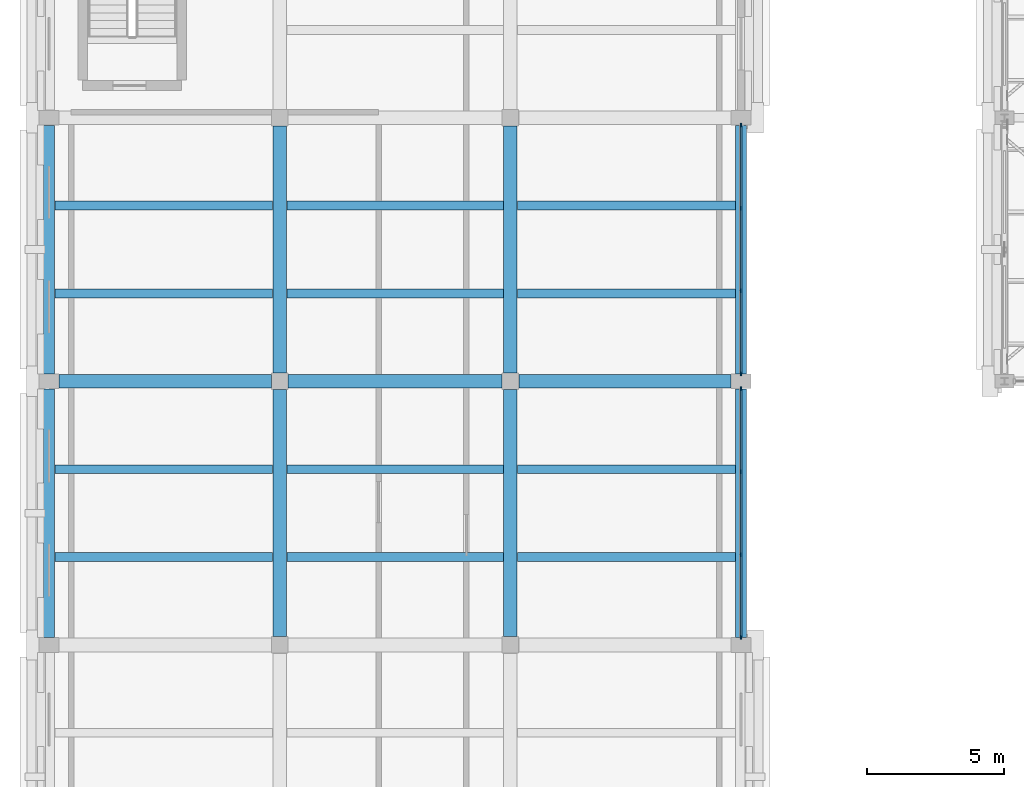
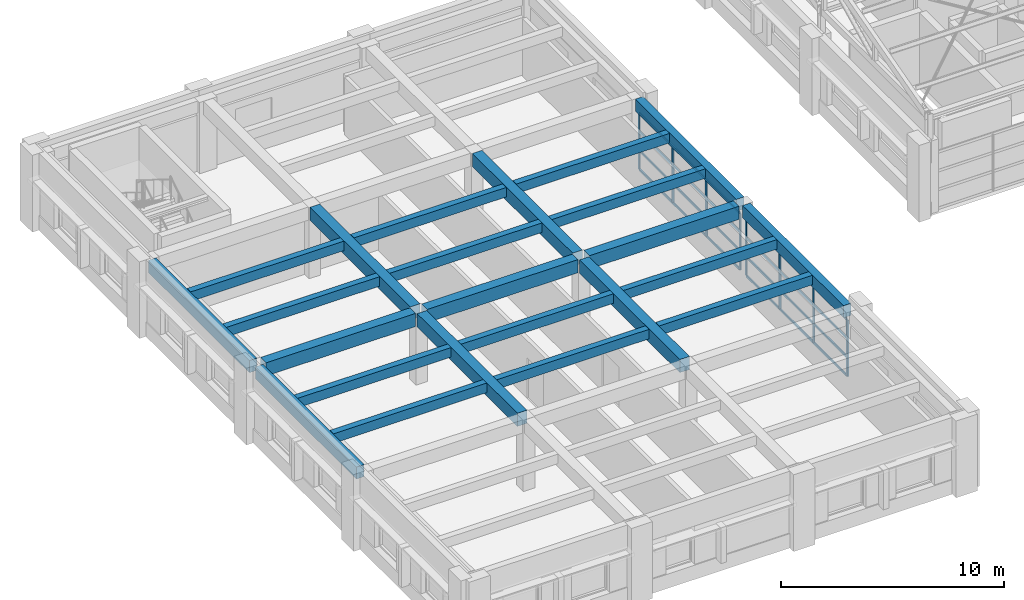
# One storey, part 12 of 58: 23 beams, 16 members, 2 elements without a shape of their own.
"""IFC4 building model written with IfcOpenShell, lengths in metres."""

from ifc_helpers import new_model, si_unit, direction, frame, origin, origin_2d, place, context, subcontext, project, spatial, rectangle, extrude, material, layer, layer_set, material_profile, profile_set, type_object, element, aggregate, save


model = new_model("IFC4")

# Units and contexts
model_context = context("Model", 3, precision=1e-05, world=origin(), true_north=direction((0.0, 1.0)))
body_context = subcontext(model_context, "Body", "Model", "MODEL_VIEW")
ifc_project = project(units=[si_unit("LENGTHUNIT", "METRE"), si_unit("AREAUNIT", "SQUARE_METRE"), si_unit("VOLUMEUNIT", "CUBIC_METRE"), si_unit("PLANEANGLEUNIT", "RADIAN"), si_unit("MASSUNIT", "GRAM", prefix="KILO")], contexts=[model_context])

# Site, building, storey
site_placement = place(None, origin())
site = spatial("IfcSite", under=ifc_project, at=site_placement, CompositionType="ELEMENT")
building_placement = place(site_placement, origin())
building = spatial("IfcBuilding", under=site, at=building_placement, Name="Bempovik Park Faculty of Sciences", CompositionType="ELEMENT")
storey_placement = place(building_placement, frame((0.0, 0.0, 18.300048828125)))
storey = spatial("IfcBuildingStorey", under=building, at=storey_placement, Name="L04", CompositionType="ELEMENT", Elevation=18.300048828125)

# Beams
ifc_material_1 = material(Name="Concrete C35/45", Category="concrete")
ifc_material_profile_1 = material_profile(ifc_material_1, rectangle(XDim=0.320068359375, YDim=0.52001953125, at=origin_2d()), Name="RC 320x520")
ifc_profile_set_1 = profile_set([ifc_material_profile_1], Name="Concrete C35/45")
beam_type_1 = type_object("IfcBeamType", Name="B-028 RC 320x520", PredefinedType="JOIST", material=ifc_profile_set_1)
for number, where, z_axis, x_axis, name in (
    (1, (15.805908203125, 61.39990234375, 3.639892578125), (1.0, 0.0, 0.0), (0.0, 1.0, 0.0), "L04 Secondary Joist (15.6-24.0, y=61.40)"),
    (2, (15.805908203125, 64.60009765625, 3.639892578125), (1.0, 0.0, 0.0), (0.0, 1.0, 0.0), "L04 Secondary Joist (15.6-24.0, y=64.60)"),
    (3, (15.805908203125, 71.0, 3.639892578125), (1.0, 0.0, 0.0), (0.0, 1.0, 0.0), "L04 Secondary Joist (15.6-24.0, y=71.00)"),
    (4, (15.805908203125, 74.199951171875, 3.639892578125), (1.0, 0.0, 0.0), (0.0, 1.0, 0.0), "L04 Secondary Joist (15.6-24.0, y=74.20)"),
):
    element("IfcBeam", number, at=place(storey_placement, frame(where, z_axis=z_axis, x_axis=x_axis)), inside=storey, type_object=beam_type_1, Name=name, PredefinedType="JOIST", context=body_context, shape_type="SweptSolid", body=[
        extrude(rectangle(XDim=0.320068359375, YDim=0.52001953125, at=origin_2d()), origin(), (0.0, 0.0, 1.0), 7.93798828125),
    ])
for number, where, z_axis, x_axis, name in (
    (5, (24.256103515625, 61.39990234375, 3.639892578125), (1.0, 0.0, 0.0), (0.0, 1.0, 0.0), "L04 Secondary Joist (24.0-32.4, y=61.40)"),
    (6, (24.256103515625, 64.60009765625, 3.639892578125), (1.0, 0.0, 0.0), (0.0, 1.0, 0.0), "L04 Secondary Joist (24.0-32.4, y=64.60)"),
    (7, (24.256103515625, 71.0, 3.639892578125), (1.0, 0.0, 0.0), (0.0, 1.0, 0.0), "L04 Secondary Joist (24.0-32.4, y=71.00)"),
    (8, (24.256103515625, 74.199951171875, 3.639892578125), (1.0, 0.0, 0.0), (0.0, 1.0, 0.0), "L04 Secondary Joist (24.0-32.4, y=74.20)"),
):
    element("IfcBeam", number, at=place(storey_placement, frame(where, z_axis=z_axis, x_axis=x_axis)), inside=storey, type_object=beam_type_1, Name=name, PredefinedType="JOIST", context=body_context, shape_type="SweptSolid", body=[
        extrude(rectangle(XDim=0.320068359375, YDim=0.52001953125, at=origin_2d()), origin(), (0.0, 0.0, 1.0), 7.887939453125),
    ])
for number, where, z_axis, x_axis, name in (
    (9, (32.656005859375, 61.39990234375, 3.639892578125), (1.0, 0.0, 0.0), (0.0, 1.0, 0.0), "L04 Secondary Joist (32.4-40.8, y=61.40)"),
    (10, (32.656005859375, 64.60009765625, 3.639892578125), (1.0, 0.0, 0.0), (0.0, 1.0, 0.0), "L04 Secondary Joist (32.4-40.8, y=64.60)"),
    (11, (32.656005859375, 71.0, 3.639892578125), (1.0, 0.0, 0.0), (0.0, 1.0, 0.0), "L04 Secondary Joist (32.4-40.8, y=71.00)"),
    (12, (32.656005859375, 74.199951171875, 3.639892578125), (1.0, 0.0, 0.0), (0.0, 1.0, 0.0), "L04 Secondary Joist (32.4-40.8, y=74.20)"),
):
    element("IfcBeam", number, at=place(storey_placement, frame(where, z_axis=z_axis, x_axis=x_axis)), inside=storey, type_object=beam_type_1, Name=name, PredefinedType="JOIST", context=body_context, shape_type="SweptSolid", body=[
        extrude(rectangle(XDim=0.320068359375, YDim=0.52001953125, at=origin_2d()), origin(), (0.0, 0.0, 1.0), 7.93798828125),
    ])
ifc_material_profile_2 = material_profile(ifc_material_1, rectangle(XDim=0.5, YDim=0.719970703125, at=origin_2d()), Name="RC 500x720")
ifc_profile_set_2 = profile_set([ifc_material_profile_2], Name="Concrete C35/45")
beam_type_2 = type_object("IfcBeamType", Name="B-092 RC 500x720", PredefinedType="BEAM", material=ifc_profile_set_2)
beam_1_placement = place(storey_placement, frame((15.966064453125, 67.800048828125, 3.5400390625), z_axis=(1.0, 0.0, 0.0), x_axis=(0.0, 1.0, 0.0)))
element("IfcBeam", 13, at=beam_1_placement, inside=storey, type_object=beam_type_2, Name="L04 Beam X (15.6-24.0, y=67.8)", PredefinedType="BEAM", context=body_context, shape_type="SweptSolid", body=[
    extrude(rectangle(XDim=0.5, YDim=0.719970703125, at=origin_2d()), origin(), (0.0, 0.0, 1.0), 7.72802734375),
])
beam_2_placement = place(storey_placement, frame((24.305908203125, 67.800048828125, 3.5400390625), z_axis=(1.0, 0.0, 0.0), x_axis=(0.0, 1.0, 0.0)))
element("IfcBeam", 14, at=beam_2_placement, inside=storey, type_object=beam_type_2, Name="L04 Beam X (24.0-32.4, y=67.8)", PredefinedType="BEAM", context=body_context, shape_type="SweptSolid", body=[
    extrude(rectangle(XDim=0.5, YDim=0.719970703125, at=origin_2d()), origin(), (0.0, 0.0, 1.0), 7.7880859375),
])
beam_3_placement = place(storey_placement, frame((32.7060546875, 67.800048828125, 3.5400390625), z_axis=(1.0, 0.0, 0.0), x_axis=(0.0, 1.0, 0.0)))
element("IfcBeam", 15, at=beam_3_placement, inside=storey, type_object=beam_type_2, Name="L04 Beam X (32.4-40.8, y=67.8)", PredefinedType="BEAM", context=body_context, shape_type="SweptSolid", body=[
    extrude(rectangle(XDim=0.5, YDim=0.719970703125, at=origin_2d()), origin(), (0.0, 0.0, 1.0), 7.72802734375),
])
beam_4_placement = place(storey_placement, frame((24.0, 58.506103515625, 3.5400390625), z_axis=(0.0, 1.0, 0.0), x_axis=(-1.0, 0.0, 0.0)))
element("IfcBeam", 16, at=beam_4_placement, inside=storey, type_object=beam_type_2, Name="L04 Beam Y (x=24.0, 58.2-67.8)", PredefinedType="BEAM", context=body_context, shape_type="SweptSolid", body=[
    extrude(rectangle(XDim=0.5, YDim=0.719970703125, at=origin_2d()), origin(), (0.0, 0.0, 1.0), 8.98779296875),
])
beam_5_placement = place(storey_placement, frame((24.0, 68.10595703125, 3.5400390625), z_axis=(0.0, 1.0, 0.0), x_axis=(-1.0, 0.0, 0.0)))
element("IfcBeam", 17, at=beam_5_placement, inside=storey, type_object=beam_type_2, Name="L04 Beam Y (x=24.0, 67.8-77.4)", PredefinedType="BEAM", context=body_context, shape_type="SweptSolid", body=[
    extrude(rectangle(XDim=0.5, YDim=0.719970703125, at=origin_2d()), origin(), (0.0, 0.0, 1.0), 8.988037109375),
])
beam_6_placement = place(storey_placement, frame((32.39990234375, 58.506103515625, 3.5400390625), z_axis=(0.0, 1.0, 0.0), x_axis=(-1.0, 0.0, 0.0)))
element("IfcBeam", 18, at=beam_6_placement, inside=storey, type_object=beam_type_2, Name="L04 Beam Y (x=32.4, 58.2-67.8)", PredefinedType="BEAM", context=body_context, shape_type="SweptSolid", body=[
    extrude(rectangle(XDim=0.5, YDim=0.719970703125, at=origin_2d()), origin(), (0.0, 0.0, 1.0), 8.98779296875),
])
beam_7_placement = place(storey_placement, frame((32.39990234375, 68.10595703125, 3.5400390625), z_axis=(0.0, 1.0, 0.0), x_axis=(-1.0, 0.0, 0.0)))
element("IfcBeam", 19, at=beam_7_placement, inside=storey, type_object=beam_type_2, Name="L04 Beam Y (x=32.4, 67.8-77.4)", PredefinedType="BEAM", context=body_context, shape_type="SweptSolid", body=[
    extrude(rectangle(XDim=0.5, YDim=0.719970703125, at=origin_2d()), origin(), (0.0, 0.0, 1.0), 8.988037109375),
])
ifc_material_profile_3 = material_profile(ifc_material_1, rectangle(XDim=0.39990234375, YDim=0.659912109375, at=origin_2d()), Name="RC 400x660")
ifc_profile_set_3 = profile_set([ifc_material_profile_3], Name="Concrete C35/45")
beam_type_3 = type_object("IfcBeamType", Name="B-097 RC 400x660", PredefinedType="SPANDREL", material=ifc_profile_set_3)
beam_8_placement = place(storey_placement, frame((15.60009765625, 58.47607421875, 3.570068359375), z_axis=(0.0, 1.0, 0.0), x_axis=(-1.0, 0.0, 0.0)))
element("IfcBeam", 20, at=beam_8_placement, inside=storey, type_object=beam_type_3, Name="L04 Beam Y (x=15.6, 58.2-67.8)", PredefinedType="SPANDREL", context=body_context, shape_type="SweptSolid", body=[
    extrude(rectangle(XDim=0.39990234375, YDim=0.659912109375, at=origin_2d()), origin(), (0.0, 0.0, 1.0), 9.0478515625),
])
beam_9_placement = place(storey_placement, frame((15.60009765625, 68.075927734375, 3.570068359375), z_axis=(0.0, 1.0, 0.0), x_axis=(-1.0, 0.0, 0.0)))
element("IfcBeam", 21, at=beam_9_placement, inside=storey, type_object=beam_type_3, Name="L04 Beam Y (x=15.6, 67.8-77.4)", PredefinedType="SPANDREL", context=body_context, shape_type="SweptSolid", body=[
    extrude(rectangle(XDim=0.39990234375, YDim=0.659912109375, at=origin_2d()), origin(), (0.0, 0.0, 1.0), 9.048095703125),
])
beam_10_placement = place(storey_placement, frame((40.800048828125, 58.47607421875, 3.570068359375), z_axis=(0.0, 1.0, 0.0), x_axis=(-1.0, 0.0, 0.0)))
element("IfcBeam", 22, at=beam_10_placement, inside=storey, type_object=beam_type_3, Name="L04 Beam Y (x=40.8, 58.2-67.8)", PredefinedType="SPANDREL", context=body_context, shape_type="SweptSolid", body=[
    extrude(rectangle(XDim=0.39990234375, YDim=0.659912109375, at=origin_2d()), origin(), (0.0, 0.0, 1.0), 9.0478515625),
])
beam_11_placement = place(storey_placement, frame((40.800048828125, 68.075927734375, 3.570068359375), z_axis=(0.0, 1.0, 0.0), x_axis=(-1.0, 0.0, 0.0)))
element("IfcBeam", 23, at=beam_11_placement, inside=storey, type_object=beam_type_3, Name="L04 Beam Y (x=40.8, 67.8-77.4)", PredefinedType="SPANDREL", context=body_context, shape_type="SweptSolid", body=[
    extrude(rectangle(XDim=0.39990234375, YDim=0.659912109375, at=origin_2d()), origin(), (0.0, 0.0, 1.0), 9.048095703125),
])

# Curtain wall, members
ifc_material_2 = material(Name="Tempered laminated low-E glass", Category="glass")
ifc_layer = layer(ifc_material_2, 0.159912109375)
ifc_layer_set = layer_set([ifc_layer], Name="Tempered laminated low-E glass")
curtain_wall_type = type_object("IfcCurtainWallType", Name="CW-42 Curtain 6400x3700", PredefinedType="USERDEFINED", material=ifc_layer_set)
curtain_wall_1_placement = place(storey_placement, origin())
curtain_wall_1 = element("IfcCurtainWall", 24, at=curtain_wall_1_placement, inside=storey, type_object=curtain_wall_type, Name="L04 Unitised Curtain Wall (40.8,58.2)", ObjectType="UNITISED CURTAIN WALL", PredefinedType="USERDEFINED")
ifc_material_3 = material(Name="Anodised aluminium", Category="aluminium")
ifc_material_profile_4 = material_profile(ifc_material_3, rectangle(XDim=0.06005859375, YDim=0.14501953125, at=origin_2d()), Name="ALU-M 60x145")
ifc_profile_set_4 = profile_set([ifc_material_profile_4], Name="Anodised aluminium")
member_type_1 = type_object("IfcMemberType", Name="ML-22 ALU-M 60x145", PredefinedType="MULLION", material=ifc_profile_set_4)
member_1_placement = place(storey_placement, frame((40.800048828125, 58.471923828125, 0.0), z_axis=(0.0, 0.0, 1.0), x_axis=(1.0, 0.0, 0.0)))
member_1 = element("IfcMember", 25, at=member_1_placement, type_object=member_type_1, Name="CW-BAY-L04-408-582 Mullion 0", PredefinedType="MULLION", context=body_context, shape_type="SweptSolid", body=[
    extrude(rectangle(XDim=0.06005859375, YDim=0.14501953125, at=origin_2d()), origin(), (0.0, 0.0, 1.0), 3.079833984375),
])
member_2_placement = place(storey_placement, frame((40.800048828125, 61.49072265625, 0.0), z_axis=(0.0, 0.0, 1.0), x_axis=(1.0, 0.0, 0.0)))
member_2 = element("IfcMember", 26, at=member_2_placement, type_object=member_type_1, Name="CW-BAY-L04-408-582 Mullion 1", PredefinedType="MULLION", context=body_context, shape_type="SweptSolid", body=[
    extrude(rectangle(XDim=0.06005859375, YDim=0.14501953125, at=origin_2d()), origin(), (0.0, 0.0, 1.0), 3.079833984375),
])
member_3_placement = place(storey_placement, frame((40.800048828125, 64.50927734375, 0.0), z_axis=(0.0, 0.0, 1.0), x_axis=(1.0, 0.0, 0.0)))
member_3 = element("IfcMember", 27, at=member_3_placement, type_object=member_type_1, Name="CW-BAY-L04-408-582 Mullion 2", PredefinedType="MULLION", context=body_context, shape_type="SweptSolid", body=[
    extrude(rectangle(XDim=0.06005859375, YDim=0.14501953125, at=origin_2d()), origin(), (0.0, 0.0, 1.0), 3.079833984375),
])
member_4_placement = place(storey_placement, frame((40.800048828125, 67.528076171875, 0.0), z_axis=(0.0, 0.0, 1.0), x_axis=(1.0, 0.0, 0.0)))
member_4 = element("IfcMember", 28, at=member_4_placement, type_object=member_type_1, Name="CW-BAY-L04-408-582 Mullion 3", PredefinedType="MULLION", context=body_context, shape_type="SweptSolid", body=[
    extrude(rectangle(XDim=0.06005859375, YDim=0.14501953125, at=origin_2d()), origin(), (0.0, 0.0, 1.0), 3.079833984375),
])

curtain_wall_2_placement = place(storey_placement, origin())
curtain_wall_2 = element("IfcCurtainWall", 29, at=curtain_wall_2_placement, inside=storey, type_object=curtain_wall_type, Name="L04 Unitised Curtain Wall (40.8,67.8)", ObjectType="UNITISED CURTAIN WALL", PredefinedType="USERDEFINED")
member_5_placement = place(storey_placement, frame((40.800048828125, 68.072021484375, 0.0), z_axis=(0.0, 0.0, 1.0), x_axis=(1.0, 0.0, 0.0)))
member_5 = element("IfcMember", 30, at=member_5_placement, type_object=member_type_1, Name="CW-BAY-L04-408-678 Mullion 0", PredefinedType="MULLION", context=body_context, shape_type="SweptSolid", body=[
    extrude(rectangle(XDim=0.06005859375, YDim=0.14501953125, at=origin_2d()), origin(), (0.0, 0.0, 1.0), 3.079833984375),
])
member_6_placement = place(storey_placement, frame((40.800048828125, 71.0908203125, 0.0), z_axis=(0.0, 0.0, 1.0), x_axis=(1.0, 0.0, 0.0)))
member_6 = element("IfcMember", 31, at=member_6_placement, type_object=member_type_1, Name="CW-BAY-L04-408-678 Mullion 1", PredefinedType="MULLION", context=body_context, shape_type="SweptSolid", body=[
    extrude(rectangle(XDim=0.06005859375, YDim=0.14501953125, at=origin_2d()), origin(), (0.0, 0.0, 1.0), 3.079833984375),
])
member_7_placement = place(storey_placement, frame((40.800048828125, 74.109375, 0.0), z_axis=(0.0, 0.0, 1.0), x_axis=(1.0, 0.0, 0.0)))
member_7 = element("IfcMember", 32, at=member_7_placement, type_object=member_type_1, Name="CW-BAY-L04-408-678 Mullion 2", PredefinedType="MULLION", context=body_context, shape_type="SweptSolid", body=[
    extrude(rectangle(XDim=0.06005859375, YDim=0.14501953125, at=origin_2d()), origin(), (0.0, 0.0, 1.0), 3.079833984375),
])
member_8_placement = place(storey_placement, frame((40.800048828125, 77.1279296875, 0.0), z_axis=(0.0, 0.0, 1.0), x_axis=(1.0, 0.0, 0.0)))
member_8 = element("IfcMember", 33, at=member_8_placement, type_object=member_type_1, Name="CW-BAY-L04-408-678 Mullion 3", PredefinedType="MULLION", context=body_context, shape_type="SweptSolid", body=[
    extrude(rectangle(XDim=0.06005859375, YDim=0.14501953125, at=origin_2d()), origin(), (0.0, 0.0, 1.0), 3.079833984375),
])

# Member
ifc_material_profile_5 = material_profile(ifc_material_3, rectangle(XDim=0.06005859375, YDim=0.1201171875, at=origin_2d()), Name="ALU-T 60x120")
ifc_profile_set_5 = profile_set([ifc_material_profile_5], Name="Anodised aluminium")
member_type_2 = type_object("IfcMemberType", Name="TR-30 ALU-T 60x120", PredefinedType="USERDEFINED", material=ifc_profile_set_5)
member_9_placement = place(storey_placement, frame((40.800048828125, 58.511962890625, 0.0), z_axis=(0.0, 1.0, 0.0), x_axis=(-1.0, 0.0, 0.0)))
member_9 = element("IfcMember", 34, at=member_9_placement, type_object=member_type_2, Name="CW-BAY-L04-408-582 Transom 0", ObjectType="TRANSOM", PredefinedType="USERDEFINED", context=body_context, shape_type="SweptSolid", body=[
    extrude(rectangle(XDim=0.06005859375, YDim=0.1201171875, at=origin_2d()), origin(), (0.0, 0.0, 1.0), 8.97607421875),
])

member_10_placement = place(storey_placement, frame((40.800048828125, 58.511962890625, 1.026611328125), z_axis=(0.0, 1.0, 0.0), x_axis=(-1.0, 0.0, 0.0)))
member_10 = element("IfcMember", 35, at=member_10_placement, type_object=member_type_2, Name="CW-BAY-L04-408-582 Transom 1", ObjectType="TRANSOM", PredefinedType="USERDEFINED", context=body_context, shape_type="SweptSolid", body=[
    extrude(rectangle(XDim=0.06005859375, YDim=0.1201171875, at=origin_2d()), origin(), (0.0, 0.0, 1.0), 8.97607421875),
])

member_11_placement = place(storey_placement, frame((40.800048828125, 58.511962890625, 2.05322265625), z_axis=(0.0, 1.0, 0.0), x_axis=(-1.0, 0.0, 0.0)))
member_11 = element("IfcMember", 36, at=member_11_placement, type_object=member_type_2, Name="CW-BAY-L04-408-582 Transom 2", ObjectType="TRANSOM", PredefinedType="USERDEFINED", context=body_context, shape_type="SweptSolid", body=[
    extrude(rectangle(XDim=0.06005859375, YDim=0.1201171875, at=origin_2d()), origin(), (0.0, 0.0, 1.0), 8.97607421875),
])

member_12_placement = place(storey_placement, frame((40.800048828125, 58.511962890625, 3.079833984375), z_axis=(0.0, 1.0, 0.0), x_axis=(-1.0, 0.0, 0.0)))
member_12 = element("IfcMember", 37, at=member_12_placement, type_object=member_type_2, Name="CW-BAY-L04-408-582 Transom 3", ObjectType="TRANSOM", PredefinedType="USERDEFINED", context=body_context, shape_type="SweptSolid", body=[
    extrude(rectangle(XDim=0.06005859375, YDim=0.1201171875, at=origin_2d()), origin(), (0.0, 0.0, 1.0), 8.97607421875),
])

aggregate(curtain_wall_1, [member_1, member_2, member_3, member_4, member_9, member_10, member_11, member_12])

member_13_placement = place(storey_placement, frame((40.800048828125, 68.112060546875, 0.0), z_axis=(0.0, 1.0, 0.0), x_axis=(-1.0, 0.0, 0.0)))
member_13 = element("IfcMember", 38, at=member_13_placement, type_object=member_type_2, Name="CW-BAY-L04-408-678 Transom 0", ObjectType="TRANSOM", PredefinedType="USERDEFINED", context=body_context, shape_type="SweptSolid", body=[
    extrude(rectangle(XDim=0.06005859375, YDim=0.1201171875, at=origin_2d()), origin(), (0.0, 0.0, 1.0), 8.975830078125),
])

member_14_placement = place(storey_placement, frame((40.800048828125, 68.112060546875, 1.026611328125), z_axis=(0.0, 1.0, 0.0), x_axis=(-1.0, 0.0, 0.0)))
member_14 = element("IfcMember", 39, at=member_14_placement, type_object=member_type_2, Name="CW-BAY-L04-408-678 Transom 1", ObjectType="TRANSOM", PredefinedType="USERDEFINED", context=body_context, shape_type="SweptSolid", body=[
    extrude(rectangle(XDim=0.06005859375, YDim=0.1201171875, at=origin_2d()), origin(), (0.0, 0.0, 1.0), 8.975830078125),
])

member_15_placement = place(storey_placement, frame((40.800048828125, 68.112060546875, 2.05322265625), z_axis=(0.0, 1.0, 0.0), x_axis=(-1.0, 0.0, 0.0)))
member_15 = element("IfcMember", 40, at=member_15_placement, type_object=member_type_2, Name="CW-BAY-L04-408-678 Transom 2", ObjectType="TRANSOM", PredefinedType="USERDEFINED", context=body_context, shape_type="SweptSolid", body=[
    extrude(rectangle(XDim=0.06005859375, YDim=0.1201171875, at=origin_2d()), origin(), (0.0, 0.0, 1.0), 8.975830078125),
])

member_16_placement = place(storey_placement, frame((40.800048828125, 68.112060546875, 3.079833984375), z_axis=(0.0, 1.0, 0.0), x_axis=(-1.0, 0.0, 0.0)))
member_16 = element("IfcMember", 41, at=member_16_placement, type_object=member_type_2, Name="CW-BAY-L04-408-678 Transom 3", ObjectType="TRANSOM", PredefinedType="USERDEFINED", context=body_context, shape_type="SweptSolid", body=[
    extrude(rectangle(XDim=0.06005859375, YDim=0.1201171875, at=origin_2d()), origin(), (0.0, 0.0, 1.0), 8.975830078125),
])

aggregate(curtain_wall_2, [member_5, member_6, member_7, member_8, member_13, member_14, member_15, member_16])

save(model, "model.ifc")
